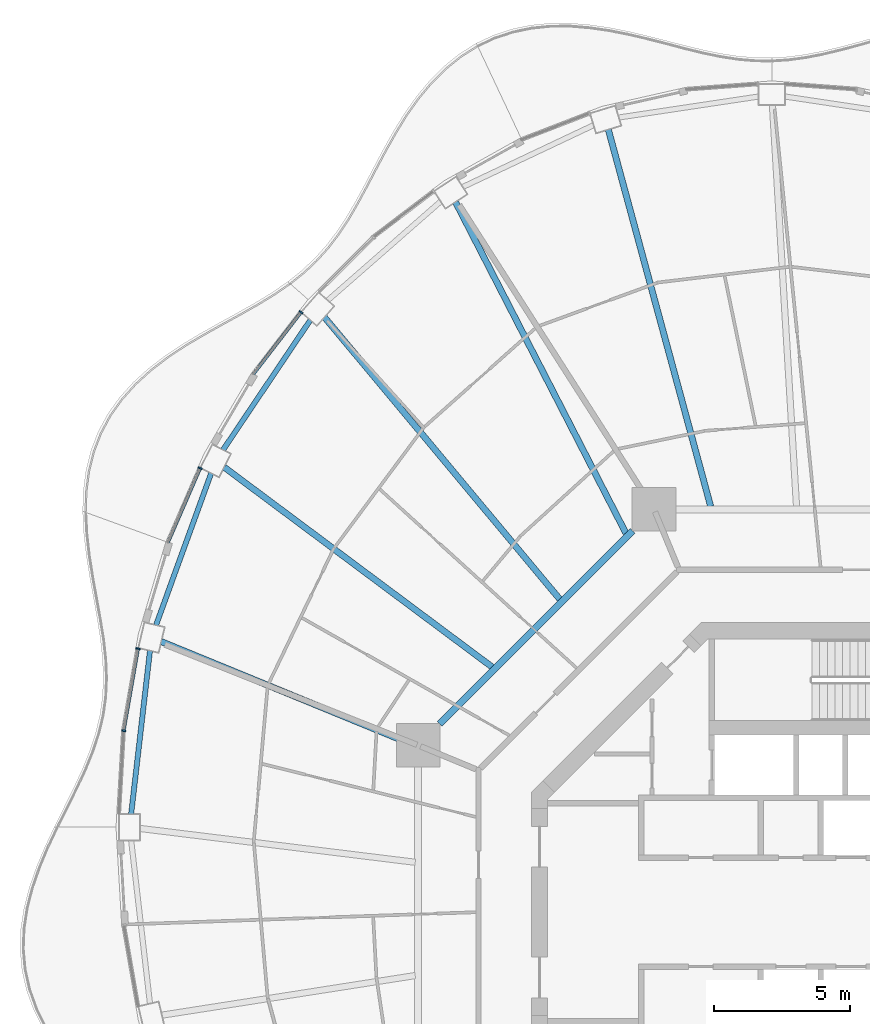
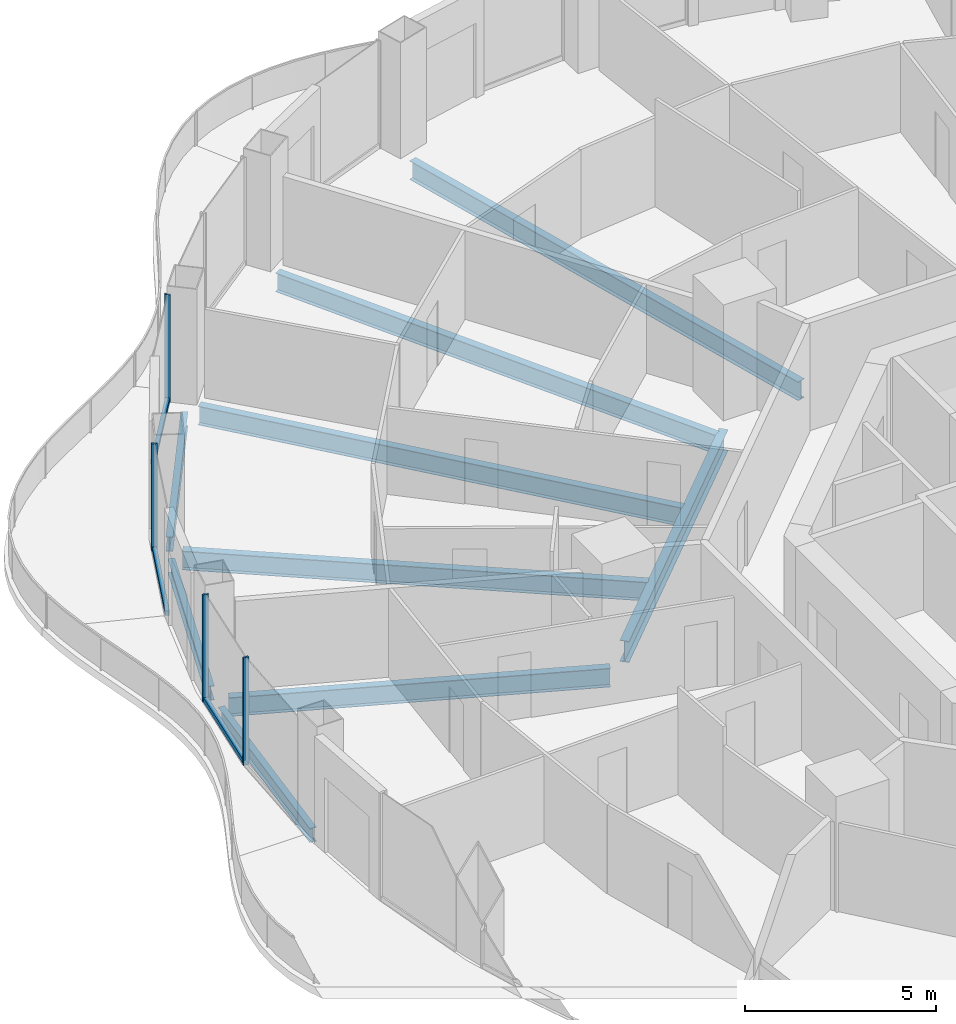
# One storey, part 5 of 18: 9 beams, 7 members, 4 elements without a shape of their own.
"""IFC4 building model written with IfcOpenShell, lengths in metres."""

from ifc_helpers import new_model, si_unit, direction, frame, origin, origin_2d, place, context, subcontext, project, spatial, rectangle, i_section, extrude, material, layer, layer_set, material_profile, profile_set, type_object, element, aggregate, save


model = new_model("IFC4")

# Units and contexts
model_context = context("Model", 3, precision=1e-05, world=origin(), true_north=direction((0.0, 1.0)))
body_context = subcontext(model_context, "Body", "Model", "MODEL_VIEW")
ifc_project = project(units=[si_unit("LENGTHUNIT", "METRE"), si_unit("AREAUNIT", "SQUARE_METRE"), si_unit("VOLUMEUNIT", "CUBIC_METRE"), si_unit("PLANEANGLEUNIT", "RADIAN"), si_unit("MASSUNIT", "GRAM", prefix="KILO")], contexts=[model_context])

# Site, building, storey
site_placement = place(None, origin())
site = spatial("IfcSite", under=ifc_project, at=site_placement, CompositionType="ELEMENT")
building_placement = place(site_placement, origin())
building = spatial("IfcBuilding", under=site, at=building_placement, Name="Nagisa Residences", CompositionType="ELEMENT")
storey_placement = place(building_placement, frame((0.0, 0.0, 223.300048828125)))
storey = spatial("IfcBuildingStorey", under=building, at=storey_placement, Name="L56", CompositionType="ELEMENT", Elevation=223.300048828125)

# Curtain wall, member
ifc_material_1 = material(Name="Concrete-coloured aluminium curtain wall system", Category="concrete")
ifc_layer = layer(ifc_material_1, 0.159912109375)
ifc_layer_set = layer_set([ifc_layer], Name="CW1 CURTAIN WALL")
curtain_wall_type = type_object("IfcCurtainWallType", Name="CW1 CURTAIN WALL", PredefinedType="NOTDEFINED", material=ifc_layer_set)
curtain_wall_1_placement = place(storey_placement, origin())
curtain_wall_1 = element("IfcCurtainWall", 1, at=curtain_wall_1_placement, inside=storey, type_object=curtain_wall_type, Name="cw:CW1:L56:18", PredefinedType="NOTDEFINED")
ifc_material_2 = material(Name="Concrete-coloured aluminium", Category="concrete")
ifc_material_profile_1 = material_profile(ifc_material_2, rectangle(XDim=0.159912109375, YDim=0.06005859375, at=origin_2d()), Name="CW1 MULLION 160x60")
ifc_profile_set_1 = profile_set([ifc_material_profile_1], Name="Concrete-coloured aluminium")
member_type_1 = type_object("IfcMemberType", Name="CW1 MULLION 160x60", PredefinedType="MULLION", material=ifc_profile_set_1)
member_1_placement = place(storey_placement, frame((-19.080322265625, 22.0166015625, 0.0), z_axis=(0.0, 0.0, 1.0), x_axis=(0.792070340816, -0.610429828235, 0.0)))
member_1 = element("IfcMember", 2, at=member_1_placement, type_object=member_type_1, Name="CW1 mullion", PredefinedType="MULLION", context=body_context, shape_type="SweptSolid", body=[
    extrude(rectangle(XDim=0.159912109375, YDim=0.06005859375, at=origin_2d()), origin(), (0.0, 0.0, 1.0), 3.43994140625),
])

curtain_wall_2_placement = place(storey_placement, origin())
curtain_wall_2 = element("IfcCurtainWall", 3, at=curtain_wall_2_placement, inside=storey, type_object=curtain_wall_type, Name="cw:CW1:L56:20", PredefinedType="NOTDEFINED")
member_2_placement = place(storey_placement, frame((-22.782470703125, 16.294677734375, 0.0), z_axis=(0.0, 0.0, 1.0), x_axis=(0.917543276295, -0.397635934147, 0.0)))
member_2 = element("IfcMember", 4, at=member_2_placement, type_object=member_type_1, Name="CW1 mullion", PredefinedType="MULLION", context=body_context, shape_type="SweptSolid", body=[
    extrude(rectangle(XDim=0.159912109375, YDim=0.06005859375, at=origin_2d()), origin(), (0.0, 0.0, 1.0), 3.43994140625),
])

curtain_wall_3_placement = place(storey_placement, origin())
curtain_wall_3 = element("IfcCurtainWall", 5, at=curtain_wall_3_placement, inside=storey, type_object=curtain_wall_type, Name="cw:CW1:L56:22", PredefinedType="NOTDEFINED")
member_3_placement = place(storey_placement, frame((-25.062255859375, 9.6708984375, 0.0), z_axis=(0.0, 0.0, 1.0), x_axis=(0.985063604377, -0.172190868898, 0.0)))
member_3 = element("IfcMember", 6, at=member_3_placement, type_object=member_type_1, Name="CW1 mullion", PredefinedType="MULLION", context=body_context, shape_type="SweptSolid", body=[
    extrude(rectangle(XDim=0.159912109375, YDim=0.06005859375, at=origin_2d()), origin(), (0.0, 0.0, 1.0), 3.43994140625),
])

curtain_wall_4_placement = place(storey_placement, origin())
curtain_wall_4 = element("IfcCurtainWall", 7, at=curtain_wall_4_placement, inside=storey, type_object=curtain_wall_type, Name="cw:CW1:L56:23", PredefinedType="NOTDEFINED")
member_4_placement = place(storey_placement, frame((-25.5859375, 6.658203125, 0.0), z_axis=(0.0, 0.0, 1.0), x_axis=(0.998345305184, -0.057503492216, 0.0)))
member_4 = element("IfcMember", 8, at=member_4_placement, type_object=member_type_1, Name="CW1 mullion", PredefinedType="MULLION", context=body_context, shape_type="SweptSolid", body=[
    extrude(rectangle(XDim=0.159912109375, YDim=0.06005859375, at=origin_2d()), origin(), (0.0, 0.0, 1.0), 3.43994140625),
])
aggregate(curtain_wall_4, [member_4])

# Member
ifc_material_3 = material(Name="Concrete-coloured aluminium", Category="concrete")
ifc_material_profile_2 = material_profile(ifc_material_3, rectangle(XDim=0.1201171875, YDim=0.14990234375, at=origin_2d()), Name="CW1 TRANSOM 120x150")
ifc_profile_set_2 = profile_set([ifc_material_profile_2], Name="Concrete-coloured aluminium")
member_type_2 = type_object("IfcMemberType", Name="CW1 TRANSOM 120x150", PredefinedType="USERDEFINED", material=ifc_profile_set_2)
member_5_placement = place(storey_placement, frame((-19.06201171875, 22.04052734375, 0.074951171875), z_axis=(-0.610438565676, -0.792063607001, 0.0), x_axis=(0.792063607001, -0.610438565676, 0.0)))
member_5 = element("IfcMember", 9, at=member_5_placement, type_object=member_type_2, Name="CW1 transom", ObjectType="TRANSOM", PredefinedType="USERDEFINED", context=body_context, shape_type="SweptSolid", body=[
    extrude(rectangle(XDim=0.1201171875, YDim=0.14990234375, at=origin_2d()), origin(), (0.0, 0.0, 1.0), 2.90087890625),
])

aggregate(curtain_wall_1, [member_1, member_5])

member_6_placement = place(storey_placement, frame((-22.770751953125, 16.322021484375, 0.074951171875), z_axis=(-0.397616567135, -0.917551669139, 0.0), x_axis=(0.917551669139, -0.397616567135, 0.0)))
member_6 = element("IfcMember", 10, at=member_6_placement, type_object=member_type_2, Name="CW1 transom", ObjectType="TRANSOM", PredefinedType="USERDEFINED", context=body_context, shape_type="SweptSolid", body=[
    extrude(rectangle(XDim=0.1201171875, YDim=0.14990234375, at=origin_2d()), origin(), (0.0, 0.0, 1.0), 3.001953125),
])

aggregate(curtain_wall_2, [member_2, member_6])

member_7_placement = place(storey_placement, frame((-25.05712890625, 9.700439453125, 0.074951171875), z_axis=(-0.172164083933, -0.985068286061, 0.0), x_axis=(0.985068286061, -0.172164083933, 0.0)))
member_7 = element("IfcMember", 11, at=member_7_placement, type_object=member_type_2, Name="CW1 transom", ObjectType="TRANSOM", PredefinedType="USERDEFINED", context=body_context, shape_type="SweptSolid", body=[
    extrude(rectangle(XDim=0.1201171875, YDim=0.14990234375, at=origin_2d()), origin(), (0.0, 0.0, 1.0), 3.0673828125),
])

aggregate(curtain_wall_3, [member_3, member_7])

# Beams
ifc_material_4 = material(Name="Steel ASTM A572 Gr 50", Category="steel")
ifc_material_profile_3 = material_profile(ifc_material_4, i_section(OverallWidth=0.2529296875, OverallDepth=0.677978515625, WebThickness=0.01171875, FlangeThickness=0.016357421875, at=origin_2d()), Name="W690x125")
ifc_profile_set_3 = profile_set([ifc_material_profile_3], Name="Steel ASTM A572 Gr 50")
beam_type_1 = type_object("IfcBeamType", Name="Inner ring beam W690x125", PredefinedType="BEAM", material=ifc_profile_set_3)
beam_1_placement = place(storey_placement, frame((-6.90869140625, 13.99609375, -0.59912109375), z_axis=(-0.707106781187, -0.707106781187, 0.0), x_axis=(0.707106781187, -0.707106781187, 0.0)))
element("IfcBeam", 12, at=beam_1_placement, inside=storey, type_object=beam_type_1, Name="beam:L56:ib3", PredefinedType="BEAM", context=body_context, shape_type="SweptSolid", body=[
    extrude(i_section(OverallWidth=0.2529296875, OverallDepth=0.677978515625, WebThickness=0.01171875, FlangeThickness=0.016357421875, at=origin_2d()), origin(), (0.0, 0.0, 1.0), 10.023193359375),
])
ifc_material_5 = material(Name="Steel ASTM A572 Gr 50", Category="steel")
ifc_material_profile_4 = material_profile(ifc_material_5, i_section(OverallWidth=0.18994140625, OverallDepth=0.45703125, WebThickness=0.009033203125, FlangeThickness=0.014404296875, at=origin_2d()), Name="W460x74")
ifc_profile_set_4 = profile_set([ifc_material_profile_4], Name="Steel ASTM A572 Gr 50")
beam_type_2 = type_object("IfcBeamType", Name="Perimeter ring beam W460x74", PredefinedType="BEAM", material=ifc_profile_set_4)
beam_2_placement = place(storey_placement, frame((-18.73681640625, 21.72998046875, -0.488525390625), z_axis=(-0.558079852096, -0.829787249049, 0.0), x_axis=(0.829787249049, -0.558079852096, 0.0)))
element("IfcBeam", 13, at=beam_2_placement, inside=storey, type_object=beam_type_2, Name="beam:L56:pb10", PredefinedType="BEAM", context=body_context, shape_type="SweptSolid", body=[
    extrude(i_section(OverallWidth=0.18994140625, OverallDepth=0.45703125, WebThickness=0.009033203125, FlangeThickness=0.014404296875, at=origin_2d()), origin(), (0.0, 0.0, 1.0), 5.743408203125),
])
beam_3_placement = place(storey_placement, frame((-22.377197265625, 16.108154296875, -0.488525390625), z_axis=(-0.34127712749, -0.939962723863, 0.0), x_axis=(0.939962723863, -0.34127712749, 0.0)))
element("IfcBeam", 14, at=beam_3_placement, inside=storey, type_object=beam_type_2, Name="beam:L56:pb11", PredefinedType="BEAM", context=body_context, shape_type="SweptSolid", body=[
    extrude(i_section(OverallWidth=0.18994140625, OverallDepth=0.45703125, WebThickness=0.009033203125, FlangeThickness=0.014404296875, at=origin_2d()), origin(), (0.0, 0.0, 1.0), 5.9326171875),
])
beam_4_placement = place(storey_placement, frame((-24.622314453125, 9.59716796875, -0.488525390625), z_axis=(-0.114650193512, -0.993405925656, 0.0), x_axis=(0.993405925656, -0.114650193512, 0.0)))
element("IfcBeam", 15, at=beam_4_placement, inside=storey, type_object=beam_type_2, Name="beam:L56:pb12", PredefinedType="BEAM", context=body_context, shape_type="SweptSolid", body=[
    extrude(i_section(OverallWidth=0.18994140625, OverallDepth=0.45703125, WebThickness=0.009033203125, FlangeThickness=0.014404296875, at=origin_2d()), origin(), (0.0, 0.0, 1.0), 6.0390625),
])
ifc_material_6 = material(Name="Steel ASTM A572 Gr 50", Category="steel")
ifc_material_profile_5 = material_profile(ifc_material_6, i_section(OverallWidth=0.22802734375, OverallDepth=0.60302734375, WebThickness=0.010498046875, FlangeThickness=0.014892578125, at=origin_2d()), Name="W610x101")
ifc_profile_set_5 = profile_set([ifc_material_profile_5], Name="Steel ASTM A572 Gr 50")
beam_type_3 = type_object("IfcBeamType", Name="Radial beam W610x101", PredefinedType="BEAM", material=ifc_profile_set_5)
beam_5_placement = place(storey_placement, frame((-7.80078125, 28.724609375, -0.5615234375), z_axis=(0.26207978084, -0.965046210539, 0.0), x_axis=(0.965046210539, 0.26207978084, 0.0)))
element("IfcBeam", 16, at=beam_5_placement, inside=storey, type_object=beam_type_3, Name="beam:L56:rb08", PredefinedType="BEAM", context=body_context, shape_type="SweptSolid", body=[
    extrude(i_section(OverallWidth=0.22802734375, OverallDepth=0.60302734375, WebThickness=0.010498046875, FlangeThickness=0.014892578125, at=origin_2d()), origin(), (0.0, 0.0, 1.0), 14.336669921875),
])
beam_6_placement = place(storey_placement, frame((-13.41015625, 26.065185546875, -0.5615234375), z_axis=(0.457487565814, -0.889216018257, 0.0), x_axis=(0.889216018257, 0.457487565814, 0.0)))
element("IfcBeam", 17, at=beam_6_placement, inside=storey, type_object=beam_type_3, Name="beam:L56:rb09", PredefinedType="BEAM", context=body_context, shape_type="SweptSolid", body=[
    extrude(i_section(OverallWidth=0.22802734375, OverallDepth=0.60302734375, WebThickness=0.010498046875, FlangeThickness=0.014892578125, at=origin_2d()), origin(), (0.0, 0.0, 1.0), 13.676513671875),
])
beam_7_placement = place(storey_placement, frame((-18.219970703125, 21.83642578125, -0.5615234375), z_axis=(0.64065600401, -0.767828030568, 0.0), x_axis=(0.767828030568, 0.64065600401, 0.0)))
element("IfcBeam", 18, at=beam_7_placement, inside=storey, type_object=beam_type_3, Name="beam:L56:rb10", PredefinedType="BEAM", context=body_context, shape_type="SweptSolid", body=[
    extrude(i_section(OverallWidth=0.22802734375, OverallDepth=0.60302734375, WebThickness=0.010498046875, FlangeThickness=0.014892578125, at=origin_2d()), origin(), (0.0, 0.0, 1.0), 13.490234375),
])
beam_8_placement = place(storey_placement, frame((-21.90283203125, 16.33203125, -0.5615234375), z_axis=(0.801674643351, -0.597760626177, 0.0), x_axis=(0.597760626177, 0.801674643351, 0.0)))
element("IfcBeam", 19, at=beam_8_placement, inside=storey, type_object=beam_type_3, Name="beam:L56:rb11", PredefinedType="BEAM", context=body_context, shape_type="SweptSolid", body=[
    extrude(i_section(OverallWidth=0.22802734375, OverallDepth=0.60302734375, WebThickness=0.010498046875, FlangeThickness=0.014892578125, at=origin_2d()), origin(), (0.0, 0.0, 1.0), 12.275634765625),
])
beam_9_placement = place(storey_placement, frame((-24.210693359375, 9.93115234375, -0.5615234375), z_axis=(0.925188691773, -0.379507423663, 0.0), x_axis=(0.379507423663, 0.925188691773, 0.0)))
element("IfcBeam", 20, at=beam_9_placement, inside=storey, type_object=beam_type_3, Name="beam:L56:rb12", PredefinedType="BEAM", context=body_context, shape_type="SweptSolid", body=[
    extrude(i_section(OverallWidth=0.22802734375, OverallDepth=0.60302734375, WebThickness=0.010498046875, FlangeThickness=0.014892578125, at=origin_2d()), origin(), (0.0, 0.0, 1.0), 10.07421875),
])

save(model, "model.ifc")
